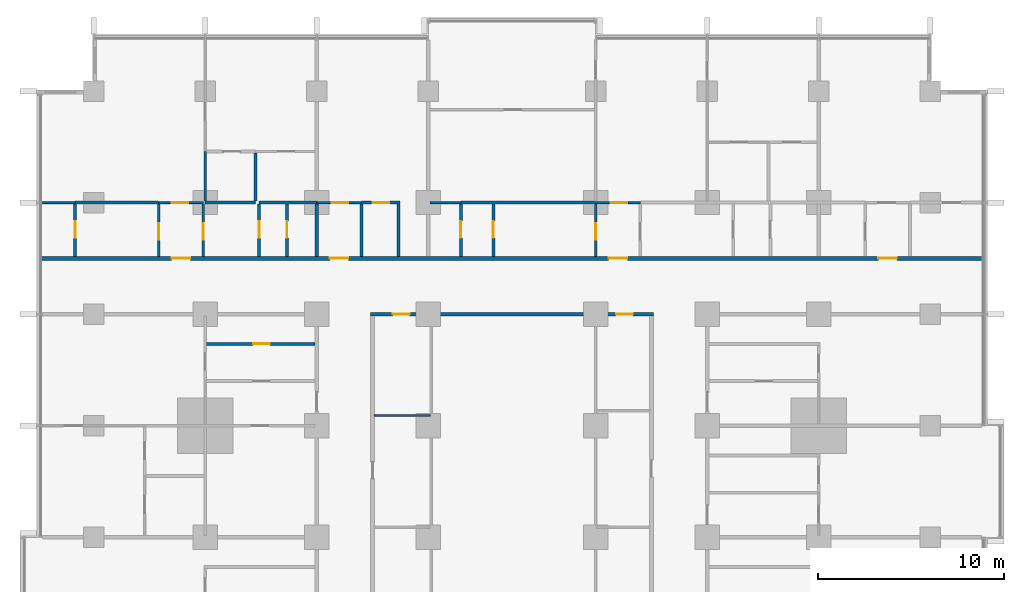
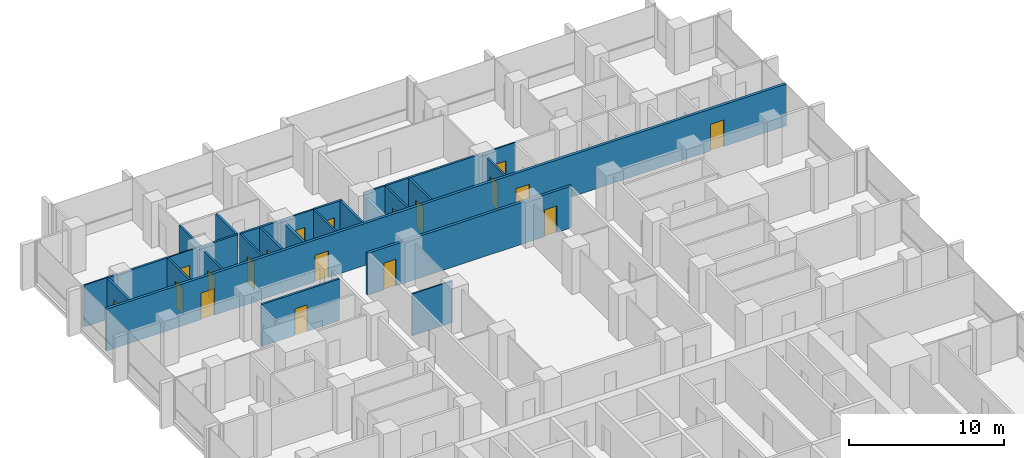
# One storey, part 11 of 18: 27 walls, 19 doors, 19 openings.
"""IFC4 building model written with IfcOpenShell, lengths in metres."""

from ifc_helpers import new_model, si_unit, direction, frame, frame_2d, origin, place, context, subcontext, project, spatial, rectangle, extrude, material, layer, layer_set, type_object, element, fill, save


model = new_model("IFC4")

# Units and contexts
model_context = context("Model", 3, precision=1e-05, world=origin(), true_north=direction((0.0, 1.0)))
body_context = subcontext(model_context, "Body", "Model", "MODEL_VIEW")
ifc_project = project(units=[si_unit("LENGTHUNIT", "METRE"), si_unit("AREAUNIT", "SQUARE_METRE"), si_unit("VOLUMEUNIT", "CUBIC_METRE"), si_unit("PLANEANGLEUNIT", "RADIAN"), si_unit("MASSUNIT", "GRAM", prefix="KILO")], contexts=[model_context])

# Site, building, storey
site_placement = place(None, origin())
site = spatial("IfcSite", under=ifc_project, at=site_placement, CompositionType="ELEMENT")
building_placement = place(site_placement, origin())
building = spatial("IfcBuilding", under=site, at=building_placement, Name="Finial Court Residences", CompositionType="ELEMENT")
storey_placement = place(building_placement, frame((0.0, 0.0, 50.5)))
storey = spatial("IfcBuildingStorey", under=building, at=storey_placement, Name="L11", CompositionType="ELEMENT", Elevation=50.5)

# Wall
ifc_material_1 = material(Name="Gypsum board")
ifc_layer_1 = layer(ifc_material_1, 0.02490234375)
ifc_material_2 = material(Name="Acoustic mineral wool in double frame")
ifc_layer_2 = layer(ifc_material_2, 0.14990234375)
ifc_layer_3 = layer(ifc_material_1, 0.02490234375)
ifc_layer_set_1 = layer_set([ifc_layer_1, ifc_layer_2, ifc_layer_3], Name="Acoustic party wall 200, 1 hour")
wall_type_1 = type_object("IfcWallType", Name="Acoustic party wall 200, 1 hour", PredefinedType="PARTITIONING", material=ifc_layer_set_1)
wall_1_placement = place(storey_placement, frame((-10.5, 16.60009765625, 0.0), z_axis=(0.0, 0.0, 1.0), x_axis=(0.0, 1.0, 0.0)))
element("IfcWall", 1, at=wall_1_placement, inside=storey, type_object=wall_type_1, Name="Partition L11-077", PredefinedType="PARTITIONING", context=body_context, shape_type="SweptSolid", body=[
    extrude(rectangle(XDim=2.824951171875, YDim=0.199951171875, at=frame_2d((1.41259765625, 0.0))), origin(), (0.0, 0.0, 1.0), 3.300048828125),
])

# Wall, openings, doors
ifc_layer_4 = layer(ifc_material_1, 0.02490234375)
ifc_layer_5 = layer(ifc_material_2, 0.14990234375)
ifc_layer_6 = layer(ifc_material_1, 0.02490234375)
ifc_layer_set_2 = layer_set([ifc_layer_4, ifc_layer_5, ifc_layer_6], Name="Corridor wall 200, 1 hour")
wall_type_2 = type_object("IfcWallType", Name="Corridor wall 200, 1 hour", PredefinedType="PARTITIONING", material=ifc_layer_set_2)
wall_2_placement = place(storey_placement, frame((-7.60009765625, 13.5, 0.0), z_axis=(0.0, 0.0, 1.0), x_axis=(1.0, 0.0, 0.0)))
wall_2 = element("IfcWall", 2, at=wall_2_placement, inside=storey, type_object=wall_type_2, Name="Partition L11-033", PredefinedType="PARTITIONING", context=body_context, shape_type="SweptSolid", body=[
    extrude(rectangle(XDim=15.2001953125, YDim=0.199951171875, at=frame_2d((7.60009765625, 0.0))), origin(), (0.0, 0.0, 1.0), 3.300048828125),
])
opening_1_placement = place(wall_2_placement, frame((1.199951171875, 0.0, 0.0)))
opening_1 = element("IfcOpeningElement", 3, at=opening_1_placement, cuts=wall_2, Name="Opening L11-D017", PredefinedType="OPENING", context=body_context, shape_type="SweptSolid", body=[
    extrude(rectangle(XDim=0.89990234375, YDim=2.10009765625, at=frame_2d((0.449951171875, 1.050048828125))), frame((0.0, 0.10986328125, 0.0), z_axis=(0.0, -1.0, 0.0), x_axis=(1.0, 0.0, 0.0)), (0.0, 0.0, 1.0), 0.219970703125),
])
opening_2_placement = place(wall_2_placement, frame((13.199951171875, 0.0, 0.0)))
opening_2 = element("IfcOpeningElement", 4, at=opening_2_placement, cuts=wall_2, Name="Opening L11-D018", PredefinedType="OPENING", context=body_context, shape_type="SweptSolid", body=[
    extrude(rectangle(XDim=0.89990234375, YDim=2.10009765625, at=frame_2d((0.449951171875, 1.050048828125))), frame((0.0, 0.10986328125, 0.0), z_axis=(0.0, -1.0, 0.0), x_axis=(1.0, 0.0, 0.0)), (0.0, 0.0, 1.0), 0.219970703125),
])
ifc_material_3 = material(Name="Timber door leaf in hollow metal frame", Category="wood")
door_type_1 = type_object("IfcDoorType", Name="Fire door set 900 x 2100, 30 minutes", OperationType="SINGLE_SWING_LEFT", PredefinedType="DOOR", material=ifc_material_3)
door_1_placement = place(opening_1_placement, origin())
door_1 = element("IfcDoor", 5, at=door_1_placement, inside=storey, type_object=door_type_1, Name="Door L11-D017", OperationType="SINGLE_SWING_LEFT", OverallHeight=2.10009765625, OverallWidth=0.89990234375, PredefinedType="DOOR", context=body_context, shape_type="SweptSolid", body=[
    extrude(rectangle(XDim=0.89990234375, YDim=2.10009765625, at=frame_2d((0.449951171875, 1.050048828125))), frame((0.0, 0.02490234375, 0.0), z_axis=(0.0, -1.0, 0.0), x_axis=(1.0, 0.0, 0.0)), (0.0, 0.0, 1.0), 0.050048828125),
])
fill(opening_1, door_1)
door_2_placement = place(opening_2_placement, origin())
door_2 = element("IfcDoor", 6, at=door_2_placement, inside=storey, type_object=door_type_1, Name="Door L11-D018", OperationType="SINGLE_SWING_RIGHT", OverallHeight=2.10009765625, OverallWidth=0.89990234375, PredefinedType="DOOR", context=body_context, shape_type="SweptSolid", body=[
    extrude(rectangle(XDim=0.89990234375, YDim=2.10009765625, at=frame_2d((0.449951171875, 1.050048828125))), frame((0.0, 0.02490234375, 0.0), z_axis=(0.0, -1.0, 0.0), x_axis=(1.0, 0.0, 0.0)), (0.0, 0.0, 1.0), 0.050048828125),
])
fill(opening_2, door_2)

wall_3_placement = place(storey_placement, frame((-25.35009765625, 16.5, 0.0), z_axis=(0.0, 0.0, 1.0), x_axis=(1.0, 0.0, 0.0)))
wall_3 = element("IfcWall", 7, at=wall_3_placement, inside=storey, type_object=wall_type_2, Name="Partition L11-035", PredefinedType="PARTITIONING", context=body_context, shape_type="SweptSolid", body=[
    extrude(rectangle(XDim=50.7001953125, YDim=0.199951171875, at=frame_2d((25.35009765625, 0.0))), origin(), (0.0, 0.0, 1.0), 3.300048828125),
])
opening_3_placement = place(wall_3_placement, frame((7.050048828125, 0.0, 0.0)))
opening_3 = element("IfcOpeningElement", 8, at=opening_3_placement, cuts=wall_3, Name="Opening L11-D019", PredefinedType="OPENING", context=body_context, shape_type="SweptSolid", body=[
    extrude(rectangle(XDim=1.0, YDim=2.10009765625, at=frame_2d((0.5, 1.050048828125))), frame((0.0, 0.10986328125, 0.0), z_axis=(0.0, -1.0, 0.0), x_axis=(1.0, 0.0, 0.0)), (0.0, 0.0, 1.0), 0.219970703125),
])
opening_4_placement = place(wall_3_placement, frame((15.550048828125, 0.0, 0.0)))
opening_4 = element("IfcOpeningElement", 9, at=opening_4_placement, cuts=wall_3, Name="Opening L11-D020", PredefinedType="OPENING", context=body_context, shape_type="SweptSolid", body=[
    extrude(rectangle(XDim=1.0, YDim=2.10009765625, at=frame_2d((0.5, 1.050048828125))), frame((0.0, 0.10986328125, 0.0), z_axis=(0.0, -1.0, 0.0), x_axis=(1.0, 0.0, 0.0)), (0.0, 0.0, 1.0), 0.219970703125),
])
opening_5_placement = place(wall_3_placement, frame((30.550048828125, 0.0, 0.0)))
opening_5 = element("IfcOpeningElement", 10, at=opening_5_placement, cuts=wall_3, Name="Opening L11-D021", PredefinedType="OPENING", context=body_context, shape_type="SweptSolid", body=[
    extrude(rectangle(XDim=1.0, YDim=2.10009765625, at=frame_2d((0.5, 1.050048828125))), frame((0.0, 0.10986328125, 0.0), z_axis=(0.0, -1.0, 0.0), x_axis=(1.0, 0.0, 0.0)), (0.0, 0.0, 1.0), 0.219970703125),
])
opening_6_placement = place(wall_3_placement, frame((45.050048828125, 0.0, 0.0)))
opening_6 = element("IfcOpeningElement", 11, at=opening_6_placement, cuts=wall_3, Name="Opening L11-D022", PredefinedType="OPENING", context=body_context, shape_type="SweptSolid", body=[
    extrude(rectangle(XDim=1.0, YDim=2.10009765625, at=frame_2d((0.5, 1.050048828125))), frame((0.0, 0.10986328125, 0.0), z_axis=(0.0, -1.0, 0.0), x_axis=(1.0, 0.0, 0.0)), (0.0, 0.0, 1.0), 0.219970703125),
])
door_type_2 = type_object("IfcDoorType", Name="Fire door set 1000 x 2100, 30 minutes", OperationType="SINGLE_SWING_LEFT", PredefinedType="DOOR", material=ifc_material_3)
door_3_placement = place(opening_3_placement, origin())
door_3 = element("IfcDoor", 12, at=door_3_placement, inside=storey, type_object=door_type_2, Name="Door L11-D019", OperationType="SINGLE_SWING_RIGHT", OverallHeight=2.10009765625, OverallWidth=1.0, PredefinedType="DOOR", context=body_context, shape_type="SweptSolid", body=[
    extrude(rectangle(XDim=1.0, YDim=2.10009765625, at=frame_2d((0.5, 1.050048828125))), frame((0.0, 0.02490234375, 0.0), z_axis=(0.0, -1.0, 0.0), x_axis=(1.0, 0.0, 0.0)), (0.0, 0.0, 1.0), 0.050048828125),
])
fill(opening_3, door_3)
door_4_placement = place(opening_4_placement, origin())
door_4 = element("IfcDoor", 13, at=door_4_placement, inside=storey, type_object=door_type_2, Name="Door L11-D020", OperationType="SINGLE_SWING_RIGHT", OverallHeight=2.10009765625, OverallWidth=1.0, PredefinedType="DOOR", context=body_context, shape_type="SweptSolid", body=[
    extrude(rectangle(XDim=1.0, YDim=2.10009765625, at=frame_2d((0.5, 1.050048828125))), frame((0.0, 0.02490234375, 0.0), z_axis=(0.0, -1.0, 0.0), x_axis=(1.0, 0.0, 0.0)), (0.0, 0.0, 1.0), 0.050048828125),
])
fill(opening_4, door_4)
door_5_placement = place(opening_5_placement, origin())
door_5 = element("IfcDoor", 14, at=door_5_placement, inside=storey, type_object=door_type_2, Name="Door L11-D021", OperationType="SINGLE_SWING_LEFT", OverallHeight=2.10009765625, OverallWidth=1.0, PredefinedType="DOOR", context=body_context, shape_type="SweptSolid", body=[
    extrude(rectangle(XDim=1.0, YDim=2.10009765625, at=frame_2d((0.5, 1.050048828125))), frame((0.0, 0.02490234375, 0.0), z_axis=(0.0, -1.0, 0.0), x_axis=(1.0, 0.0, 0.0)), (0.0, 0.0, 1.0), 0.050048828125),
])
fill(opening_5, door_5)
door_6_placement = place(opening_6_placement, origin())
door_6 = element("IfcDoor", 15, at=door_6_placement, inside=storey, type_object=door_type_2, Name="Door L11-D022", OperationType="SINGLE_SWING_LEFT", OverallHeight=2.10009765625, OverallWidth=1.0, PredefinedType="DOOR", context=body_context, shape_type="SweptSolid", body=[
    extrude(rectangle(XDim=1.0, YDim=2.10009765625, at=frame_2d((0.5, 1.050048828125))), frame((0.0, 0.02490234375, 0.0), z_axis=(0.0, -1.0, 0.0), x_axis=(1.0, 0.0, 0.0)), (0.0, 0.0, 1.0), 0.050048828125),
])
fill(opening_6, door_6)

# Walls
ifc_layer_7 = layer(ifc_material_1, 0.012451171875)
ifc_material_4 = material(Name="Mineral wool in light-gauge frame")
ifc_layer_8 = layer(ifc_material_4, 0.074951171875)
ifc_layer_9 = layer(ifc_material_1, 0.012451171875)
ifc_layer_set_3 = layer_set([ifc_layer_7, ifc_layer_8, ifc_layer_9], Name="Gypsum board partition 100")
wall_type_3 = type_object("IfcWallType", Name="Gypsum board partition 100", PredefinedType="PARTITIONING", material=ifc_layer_set_3)
wall_4_placement = place(storey_placement, frame((-7.39990234375, 8.050048828125, 0.0), z_axis=(0.0, 0.0, 1.0), x_axis=(1.0, 0.0, 0.0)))
element("IfcWall", 16, at=wall_4_placement, inside=storey, type_object=wall_type_3, Name="Partition L11-026", PredefinedType="PARTITIONING", context=body_context, shape_type="SweptSolid", body=[
    extrude(rectangle(XDim=3.0, YDim=0.10009765625, at=frame_2d((1.5, 0.0))), origin(), (0.0, 0.0, 1.0), 3.300048828125),
])
wall_5_placement = place(storey_placement, frame((-25.25, 19.5, 0.0), z_axis=(0.0, 0.0, 1.0), x_axis=(1.0, 0.0, 0.0)))
element("IfcWall", 17, at=wall_5_placement, inside=storey, type_object=wall_type_3, Name="Partition L11-036", PredefinedType="PARTITIONING", context=body_context, shape_type="SweptSolid", body=[
    extrude(rectangle(XDim=1.75, YDim=0.10009765625, at=frame_2d((0.875, 0.0))), origin(), (0.0, 0.0, 1.0), 3.300048828125),
])

# Wall, opening, door
wall_6_placement = place(storey_placement, frame((-19.0, 19.5, 0.0), z_axis=(0.0, 0.0, 1.0), x_axis=(1.0, 0.0, 0.0)))
wall_6 = element("IfcWall", 18, at=wall_6_placement, inside=storey, type_object=wall_type_3, Name="Partition L11-037", PredefinedType="PARTITIONING", context=body_context, shape_type="SweptSolid", body=[
    extrude(rectangle(XDim=2.39990234375, YDim=0.10009765625, at=frame_2d((1.199951171875, 0.0))), origin(), (0.0, 0.0, 1.0), 3.300048828125),
])
opening_7_placement = place(wall_6_placement, frame((0.699951171875, 0.0, 0.0)))
opening_7 = element("IfcOpeningElement", 19, at=opening_7_placement, cuts=wall_6, Name="Opening L11-D023", PredefinedType="OPENING", context=body_context, shape_type="SweptSolid", body=[
    extrude(rectangle(XDim=0.89990234375, YDim=2.10009765625, at=frame_2d((0.449951171875, 1.050048828125))), frame((0.0, 0.06005859375, 0.0), z_axis=(0.0, -1.0, 0.0), x_axis=(1.0, 0.0, 0.0)), (0.0, 0.0, 1.0), 0.1201171875),
])
ifc_material_5 = material(Name="Timber door leaf in timber frame", Category="wood")
door_type_3 = type_object("IfcDoorType", Name="Door set 900 x 2100", OperationType="SINGLE_SWING_LEFT", PredefinedType="DOOR", material=ifc_material_5)
door_7_placement = place(opening_7_placement, origin())
door_7 = element("IfcDoor", 20, at=door_7_placement, inside=storey, type_object=door_type_3, Name="Door L11-D023", OperationType="SINGLE_SWING_LEFT", OverallHeight=2.10009765625, OverallWidth=0.89990234375, PredefinedType="DOOR", context=body_context, shape_type="SweptSolid", body=[
    extrude(rectangle(XDim=0.89990234375, YDim=2.10009765625, at=frame_2d((0.449951171875, 1.050048828125))), frame((0.0, 0.02490234375, 0.0), z_axis=(0.0, -1.0, 0.0), x_axis=(1.0, 0.0, 0.0)), (0.0, 0.0, 1.0), 0.050048828125),
])
fill(opening_7, door_7)

wall_7_placement = place(storey_placement, frame((-10.5, 19.5, 0.0), z_axis=(0.0, 0.0, 1.0), x_axis=(1.0, 0.0, 0.0)))
wall_7 = element("IfcWall", 21, at=wall_7_placement, inside=storey, type_object=wall_type_3, Name="Partition L11-038", PredefinedType="PARTITIONING", context=body_context, shape_type="SweptSolid", body=[
    extrude(rectangle(XDim=2.39990234375, YDim=0.10009765625, at=frame_2d((1.199951171875, 0.0))), origin(), (0.0, 0.0, 1.0), 3.300048828125),
])
opening_8_placement = place(wall_7_placement, frame((0.800048828125, 0.0, 0.0)))
opening_8 = element("IfcOpeningElement", 22, at=opening_8_placement, cuts=wall_7, Name="Opening L11-D024", PredefinedType="OPENING", context=body_context, shape_type="SweptSolid", body=[
    extrude(rectangle(XDim=0.89990234375, YDim=2.10009765625, at=frame_2d((0.449951171875, 1.050048828125))), frame((0.0, 0.06005859375, 0.0), z_axis=(0.0, -1.0, 0.0), x_axis=(1.0, 0.0, 0.0)), (0.0, 0.0, 1.0), 0.1201171875),
])
door_8_placement = place(opening_8_placement, origin())
door_8 = element("IfcDoor", 23, at=door_8_placement, inside=storey, type_object=door_type_3, Name="Door L11-D024", OperationType="SINGLE_SWING_LEFT", OverallHeight=2.10009765625, OverallWidth=0.89990234375, PredefinedType="DOOR", context=body_context, shape_type="SweptSolid", body=[
    extrude(rectangle(XDim=0.89990234375, YDim=2.10009765625, at=frame_2d((0.449951171875, 1.050048828125))), frame((0.0, 0.02490234375, 0.0), z_axis=(0.0, -1.0, 0.0), x_axis=(1.0, 0.0, 0.0)), (0.0, 0.0, 1.0), 0.050048828125),
])
fill(opening_8, door_8)

# Wall
wall_8_placement = place(storey_placement, frame((-4.39990234375, 19.5, 0.0), z_axis=(0.0, 0.0, 1.0), x_axis=(1.0, 0.0, 0.0)))
element("IfcWall", 24, at=wall_8_placement, inside=storey, type_object=wall_type_3, Name="Partition L11-039", PredefinedType="PARTITIONING", context=body_context, shape_type="SweptSolid", body=[
    extrude(rectangle(XDim=1.64990234375, YDim=0.10009765625, at=frame_2d((0.824951171875, 0.0))), origin(), (0.0, 0.0, 1.0), 3.300048828125),
])

# Wall, opening, door
wall_9_placement = place(storey_placement, frame((4.5, 19.5, 0.0), z_axis=(0.0, 0.0, 1.0), x_axis=(1.0, 0.0, 0.0)))
wall_9 = element("IfcWall", 25, at=wall_9_placement, inside=storey, type_object=wall_type_3, Name="Partition L11-040", PredefinedType="PARTITIONING", context=body_context, shape_type="SweptSolid", body=[
    extrude(rectangle(XDim=2.39990234375, YDim=0.10009765625, at=frame_2d((1.199951171875, 0.0))), origin(), (0.0, 0.0, 1.0), 3.300048828125),
])
opening_9_placement = place(wall_9_placement, frame((0.800048828125, 0.0, 0.0)))
opening_9 = element("IfcOpeningElement", 26, at=opening_9_placement, cuts=wall_9, Name="Opening L11-D025", PredefinedType="OPENING", context=body_context, shape_type="SweptSolid", body=[
    extrude(rectangle(XDim=0.89990234375, YDim=2.10009765625, at=frame_2d((0.449951171875, 1.050048828125))), frame((0.0, 0.06005859375, 0.0), z_axis=(0.0, -1.0, 0.0), x_axis=(1.0, 0.0, 0.0)), (0.0, 0.0, 1.0), 0.1201171875),
])
door_9_placement = place(opening_9_placement, origin())
door_9 = element("IfcDoor", 27, at=door_9_placement, inside=storey, type_object=door_type_3, Name="Door L11-D025", OperationType="SINGLE_SWING_RIGHT", OverallHeight=2.10009765625, OverallWidth=0.89990234375, PredefinedType="DOOR", context=body_context, shape_type="SweptSolid", body=[
    extrude(rectangle(XDim=0.89990234375, YDim=2.10009765625, at=frame_2d((0.449951171875, 1.050048828125))), frame((0.0, 0.02490234375, 0.0), z_axis=(0.0, -1.0, 0.0), x_axis=(1.0, 0.0, 0.0)), (0.0, 0.0, 1.0), 0.050048828125),
])
fill(opening_9, door_9)

ifc_material_6 = material(Name="Moisture-resistant gypsum board")
ifc_layer_10 = layer(ifc_material_6, 0.012451171875)
ifc_layer_11 = layer(ifc_material_4, 0.125)
ifc_layer_12 = layer(ifc_material_6, 0.012451171875)
ifc_layer_set_4 = layer_set([ifc_layer_10, ifc_layer_11, ifc_layer_12], Name="Gypsum board wet-area partition 150")
wall_type_4 = type_object("IfcWallType", Name="Gypsum board wet-area partition 150", PredefinedType="PARTITIONING", material=ifc_layer_set_4)
wall_10_placement = place(storey_placement, frame((-16.425048828125, 11.89990234375, 0.0), z_axis=(0.0, 0.0, 1.0), x_axis=(1.0, 0.0, 0.0)))
wall_10 = element("IfcWall", 28, at=wall_10_placement, inside=storey, type_object=wall_type_4, Name="Partition L11-030", PredefinedType="PARTITIONING", context=body_context, shape_type="SweptSolid", body=[
    extrude(rectangle(XDim=5.824951171875, YDim=0.14990234375, at=frame_2d((2.91259765625, 0.0))), origin(), (0.0, 0.0, 1.0), 3.300048828125),
])
opening_10_placement = place(wall_10_placement, frame((2.5, 0.0, 0.0)))
opening_10 = element("IfcOpeningElement", 29, at=opening_10_placement, cuts=wall_10, Name="Opening L11-D016", PredefinedType="OPENING", context=body_context, shape_type="SweptSolid", body=[
    extrude(rectangle(XDim=0.89990234375, YDim=2.10009765625, at=frame_2d((0.449951171875, 1.050048828125))), frame((0.0, 0.0849609375, 0.0), z_axis=(0.0, -1.0, 0.0), x_axis=(1.0, 0.0, 0.0)), (0.0, 0.0, 1.0), 0.169921875),
])
door_10_placement = place(opening_10_placement, origin())
door_10 = element("IfcDoor", 30, at=door_10_placement, inside=storey, type_object=door_type_3, Name="Door L11-D016", OperationType="SINGLE_SWING_LEFT", OverallHeight=2.10009765625, OverallWidth=0.89990234375, PredefinedType="DOOR", context=body_context, shape_type="SweptSolid", body=[
    extrude(rectangle(XDim=0.89990234375, YDim=2.10009765625, at=frame_2d((0.449951171875, 1.050048828125))), frame((0.0, 0.02490234375, 0.0), z_axis=(0.0, -1.0, 0.0), x_axis=(1.0, 0.0, 0.0)), (0.0, 0.0, 1.0), 0.050048828125),
])
fill(opening_10, door_10)

# Walls
wall_11_placement = place(storey_placement, frame((-23.5, 19.5, 0.0), z_axis=(0.0, 0.0, 1.0), x_axis=(1.0, 0.0, 0.0)))
element("IfcWall", 31, at=wall_11_placement, inside=storey, type_object=wall_type_4, Name="Partition L11-042", PredefinedType="PARTITIONING", context=body_context, shape_type="SweptSolid", body=[
    extrude(rectangle(XDim=4.5, YDim=0.14990234375, at=frame_2d((2.25, 0.0))), origin(), (0.0, 0.0, 1.0), 3.300048828125),
])
wall_12_placement = place(storey_placement, frame((-16.5, 19.5, 0.0), z_axis=(0.0, 0.0, 1.0), x_axis=(1.0, 0.0, 0.0)))
element("IfcWall", 32, at=wall_12_placement, inside=storey, type_object=wall_type_4, Name="Partition L11-043", PredefinedType="PARTITIONING", context=body_context, shape_type="SweptSolid", body=[
    extrude(rectangle(XDim=2.699951171875, YDim=0.14990234375, at=frame_2d((1.35009765625, 0.0))), origin(), (0.0, 0.0, 1.0), 3.300048828125),
])
wall_13_placement = place(storey_placement, frame((-13.60009765625, 19.5, 0.0), z_axis=(0.0, 0.0, 1.0), x_axis=(1.0, 0.0, 0.0)))
element("IfcWall", 33, at=wall_13_placement, inside=storey, type_object=wall_type_4, Name="Partition L11-044", PredefinedType="PARTITIONING", context=body_context, shape_type="SweptSolid", body=[
    extrude(rectangle(XDim=3.10009765625, YDim=0.14990234375, at=frame_2d((1.550048828125, 0.0))), origin(), (0.0, 0.0, 1.0), 3.300048828125),
])

# Wall, opening, door
wall_14_placement = place(storey_placement, frame((-8.10009765625, 19.5, 0.0), z_axis=(0.0, 0.0, 1.0), x_axis=(1.0, 0.0, 0.0)))
wall_14 = element("IfcWall", 34, at=wall_14_placement, inside=storey, type_object=wall_type_4, Name="Partition L11-045", PredefinedType="PARTITIONING", context=body_context, shape_type="SweptSolid", body=[
    extrude(rectangle(XDim=2.0751953125, YDim=0.14990234375, at=frame_2d((1.03759765625, 0.0))), origin(), (0.0, 0.0, 1.0), 3.300048828125),
])
opening_11_placement = place(wall_14_placement, frame((0.60009765625, 0.0, 0.0)))
opening_11 = element("IfcOpeningElement", 35, at=opening_11_placement, cuts=wall_14, Name="Opening L11-D027", PredefinedType="OPENING", context=body_context, shape_type="SweptSolid", body=[
    extrude(rectangle(XDim=0.89990234375, YDim=2.10009765625, at=frame_2d((0.449951171875, 1.050048828125))), frame((0.0, 0.0849609375, 0.0), z_axis=(0.0, -1.0, 0.0), x_axis=(1.0, 0.0, 0.0)), (0.0, 0.0, 1.0), 0.169921875),
])
door_11_placement = place(opening_11_placement, origin())
door_11 = element("IfcDoor", 36, at=door_11_placement, inside=storey, type_object=door_type_3, Name="Door L11-D027", OperationType="SINGLE_SWING_RIGHT", OverallHeight=2.10009765625, OverallWidth=0.89990234375, PredefinedType="DOOR", context=body_context, shape_type="SweptSolid", body=[
    extrude(rectangle(XDim=0.89990234375, YDim=2.10009765625, at=frame_2d((0.449951171875, 1.050048828125))), frame((0.0, 0.02490234375, 0.0), z_axis=(0.0, -1.0, 0.0), x_axis=(1.0, 0.0, 0.0)), (0.0, 0.0, 1.0), 0.050048828125),
])
fill(opening_11, door_11)

# Wall
wall_15_placement = place(storey_placement, frame((-2.75, 19.5, 0.0), z_axis=(0.0, 0.0, 1.0), x_axis=(1.0, 0.0, 0.0)))
element("IfcWall", 37, at=wall_15_placement, inside=storey, type_object=wall_type_4, Name="Partition L11-046", PredefinedType="PARTITIONING", context=body_context, shape_type="SweptSolid", body=[
    extrude(rectangle(XDim=7.25, YDim=0.14990234375, at=frame_2d((3.625, 0.0))), origin(), (0.0, 0.0, 1.0), 3.300048828125),
])

# Wall, opening, door
wall_16_placement = place(storey_placement, frame((-23.5, 16.60009765625, 0.0), z_axis=(0.0, 0.0, 1.0), x_axis=(0.0, 1.0, 0.0)))
wall_16 = element("IfcWall", 38, at=wall_16_placement, inside=storey, type_object=wall_type_4, Name="Partition L11-055", PredefinedType="PARTITIONING", context=body_context, shape_type="SweptSolid", body=[
    extrude(rectangle(XDim=2.824951171875, YDim=0.14990234375, at=frame_2d((1.41259765625, 0.0))), origin(), (0.0, 0.0, 1.0), 3.300048828125),
])
opening_12_placement = place(wall_16_placement, frame((1.0, 0.0, 0.0)))
opening_12 = element("IfcOpeningElement", 39, at=opening_12_placement, cuts=wall_16, Name="Opening L11-D034", PredefinedType="OPENING", context=body_context, shape_type="SweptSolid", body=[
    extrude(rectangle(XDim=0.89990234375, YDim=2.10009765625, at=frame_2d((0.449951171875, 1.050048828125))), frame((0.0, 0.0849609375, 0.0), z_axis=(0.0, -1.0, 0.0), x_axis=(1.0, 0.0, 0.0)), (0.0, 0.0, 1.0), 0.169921875),
])
door_12_placement = place(opening_12_placement, origin())
door_12 = element("IfcDoor", 40, at=door_12_placement, inside=storey, type_object=door_type_3, Name="Door L11-D034", OperationType="SINGLE_SWING_RIGHT", OverallHeight=2.10009765625, OverallWidth=0.89990234375, PredefinedType="DOOR", context=body_context, shape_type="SweptSolid", body=[
    extrude(rectangle(XDim=0.89990234375, YDim=2.10009765625, at=frame_2d((0.449951171875, 1.050048828125))), frame((0.0, 0.02490234375, 0.0), z_axis=(0.0, -1.0, 0.0), x_axis=(1.0, 0.0, 0.0)), (0.0, 0.0, 1.0), 0.050048828125),
])
fill(opening_12, door_12)

wall_17_placement = place(storey_placement, frame((-19.0, 16.60009765625, 0.0), z_axis=(0.0, 0.0, 1.0), x_axis=(0.0, 1.0, 0.0)))
wall_17 = element("IfcWall", 41, at=wall_17_placement, inside=storey, type_object=wall_type_4, Name="Partition L11-061", PredefinedType="PARTITIONING", context=body_context, shape_type="SweptSolid", body=[
    extrude(rectangle(XDim=2.824951171875, YDim=0.14990234375, at=frame_2d((1.41259765625, 0.0))), origin(), (0.0, 0.0, 1.0), 3.300048828125),
])
opening_13_placement = place(wall_17_placement, frame((0.89990234375, 0.0, 0.0)))
opening_13 = element("IfcOpeningElement", 42, at=opening_13_placement, cuts=wall_17, Name="Opening L11-D040", PredefinedType="OPENING", context=body_context, shape_type="SweptSolid", body=[
    extrude(rectangle(XDim=0.89990234375, YDim=2.10009765625, at=frame_2d((0.449951171875, 1.050048828125))), frame((0.0, 0.0849609375, 0.0), z_axis=(0.0, -1.0, 0.0), x_axis=(1.0, 0.0, 0.0)), (0.0, 0.0, 1.0), 0.169921875),
])
door_13_placement = place(opening_13_placement, origin())
door_13 = element("IfcDoor", 43, at=door_13_placement, inside=storey, type_object=door_type_3, Name="Door L11-D040", OperationType="SINGLE_SWING_RIGHT", OverallHeight=2.10009765625, OverallWidth=0.89990234375, PredefinedType="DOOR", context=body_context, shape_type="SweptSolid", body=[
    extrude(rectangle(XDim=0.89990234375, YDim=2.10009765625, at=frame_2d((0.449951171875, 1.050048828125))), frame((0.0, 0.02490234375, 0.0), z_axis=(0.0, -1.0, 0.0), x_axis=(1.0, 0.0, 0.0)), (0.0, 0.0, 1.0), 0.050048828125),
])
fill(opening_13, door_13)

wall_18_placement = place(storey_placement, frame((-16.60009765625, 16.60009765625, 0.0), z_axis=(0.0, 0.0, 1.0), x_axis=(0.0, 1.0, 0.0)))
wall_18 = element("IfcWall", 44, at=wall_18_placement, inside=storey, type_object=wall_type_4, Name="Partition L11-062", PredefinedType="PARTITIONING", context=body_context, shape_type="SweptSolid", body=[
    extrude(rectangle(XDim=2.824951171875, YDim=0.14990234375, at=frame_2d((1.41259765625, 0.0))), origin(), (0.0, 0.0, 1.0), 3.300048828125),
])
opening_14_placement = place(wall_18_placement, frame((0.89990234375, 0.0, 0.0)))
opening_14 = element("IfcOpeningElement", 45, at=opening_14_placement, cuts=wall_18, Name="Opening L11-D041", PredefinedType="OPENING", context=body_context, shape_type="SweptSolid", body=[
    extrude(rectangle(XDim=0.89990234375, YDim=2.10009765625, at=frame_2d((0.449951171875, 1.050048828125))), frame((0.0, 0.0849609375, 0.0), z_axis=(0.0, -1.0, 0.0), x_axis=(1.0, 0.0, 0.0)), (0.0, 0.0, 1.0), 0.169921875),
])
door_14_placement = place(opening_14_placement, origin())
door_14 = element("IfcDoor", 46, at=door_14_placement, inside=storey, type_object=door_type_3, Name="Door L11-D041", OperationType="SINGLE_SWING_RIGHT", OverallHeight=2.10009765625, OverallWidth=0.89990234375, PredefinedType="DOOR", context=body_context, shape_type="SweptSolid", body=[
    extrude(rectangle(XDim=0.89990234375, YDim=2.10009765625, at=frame_2d((0.449951171875, 1.050048828125))), frame((0.0, 0.02490234375, 0.0), z_axis=(0.0, -1.0, 0.0), x_axis=(1.0, 0.0, 0.0)), (0.0, 0.0, 1.0), 0.050048828125),
])
fill(opening_14, door_14)

# Walls
wall_19_placement = place(storey_placement, frame((-16.5, 19.574951171875, 0.0), z_axis=(0.0, 0.0, 1.0), x_axis=(0.0, 1.0, 0.0)))
element("IfcWall", 47, at=wall_19_placement, inside=storey, type_object=wall_type_4, Name="Partition L11-072", PredefinedType="PARTITIONING", context=body_context, shape_type="SweptSolid", body=[
    extrude(rectangle(XDim=2.675048828125, YDim=0.14990234375, at=frame_2d((1.33740234375, 0.0))), origin(), (0.0, 0.0, 1.0), 3.300048828125),
])
wall_20_placement = place(storey_placement, frame((-13.800048828125, 19.574951171875, 0.0), z_axis=(0.0, 0.0, 1.0), x_axis=(0.0, 1.0, 0.0)))
element("IfcWall", 48, at=wall_20_placement, inside=storey, type_object=wall_type_4, Name="Partition L11-073", PredefinedType="PARTITIONING", context=body_context, shape_type="SweptSolid", body=[
    extrude(rectangle(XDim=2.60009765625, YDim=0.14990234375, at=frame_2d((1.300048828125, 0.0))), origin(), (0.0, 0.0, 1.0), 3.300048828125),
])

# Wall, opening, door
wall_21_placement = place(storey_placement, frame((-13.60009765625, 16.60009765625, 0.0), z_axis=(0.0, 0.0, 1.0), x_axis=(0.0, 1.0, 0.0)))
wall_21 = element("IfcWall", 49, at=wall_21_placement, inside=storey, type_object=wall_type_4, Name="Partition L11-074", PredefinedType="PARTITIONING", context=body_context, shape_type="SweptSolid", body=[
    extrude(rectangle(XDim=2.824951171875, YDim=0.14990234375, at=frame_2d((1.41259765625, 0.0))), origin(), (0.0, 0.0, 1.0), 3.300048828125),
])
opening_15_placement = place(wall_21_placement, frame((1.0, 0.0, 0.0)))
opening_15 = element("IfcOpeningElement", 50, at=opening_15_placement, cuts=wall_21, Name="Opening L11-D047", PredefinedType="OPENING", context=body_context, shape_type="SweptSolid", body=[
    extrude(rectangle(XDim=0.89990234375, YDim=2.10009765625, at=frame_2d((0.449951171875, 1.050048828125))), frame((0.0, 0.0849609375, 0.0), z_axis=(0.0, -1.0, 0.0), x_axis=(1.0, 0.0, 0.0)), (0.0, 0.0, 1.0), 0.169921875),
])
door_15_placement = place(opening_15_placement, origin())
door_15 = element("IfcDoor", 51, at=door_15_placement, inside=storey, type_object=door_type_3, Name="Door L11-D047", OperationType="SINGLE_SWING_RIGHT", OverallHeight=2.10009765625, OverallWidth=0.89990234375, PredefinedType="DOOR", context=body_context, shape_type="SweptSolid", body=[
    extrude(rectangle(XDim=0.89990234375, YDim=2.10009765625, at=frame_2d((0.449951171875, 1.050048828125))), frame((0.0, 0.02490234375, 0.0), z_axis=(0.0, -1.0, 0.0), x_axis=(1.0, 0.0, 0.0)), (0.0, 0.0, 1.0), 0.050048828125),
])
fill(opening_15, door_15)

wall_22_placement = place(storey_placement, frame((-12.10009765625, 16.60009765625, 0.0), z_axis=(0.0, 0.0, 1.0), x_axis=(0.0, 1.0, 0.0)))
wall_22 = element("IfcWall", 52, at=wall_22_placement, inside=storey, type_object=wall_type_4, Name="Partition L11-075", PredefinedType="PARTITIONING", context=body_context, shape_type="SweptSolid", body=[
    extrude(rectangle(XDim=2.824951171875, YDim=0.14990234375, at=frame_2d((1.41259765625, 0.0))), origin(), (0.0, 0.0, 1.0), 3.300048828125),
])
opening_16_placement = place(wall_22_placement, frame((1.0, 0.0, 0.0)))
opening_16 = element("IfcOpeningElement", 53, at=opening_16_placement, cuts=wall_22, Name="Opening L11-D048", PredefinedType="OPENING", context=body_context, shape_type="SweptSolid", body=[
    extrude(rectangle(XDim=0.89990234375, YDim=2.10009765625, at=frame_2d((0.449951171875, 1.050048828125))), frame((0.0, 0.0849609375, 0.0), z_axis=(0.0, -1.0, 0.0), x_axis=(1.0, 0.0, 0.0)), (0.0, 0.0, 1.0), 0.169921875),
])
door_16_placement = place(opening_16_placement, origin())
door_16 = element("IfcDoor", 54, at=door_16_placement, inside=storey, type_object=door_type_3, Name="Door L11-D048", OperationType="SINGLE_SWING_RIGHT", OverallHeight=2.10009765625, OverallWidth=0.89990234375, PredefinedType="DOOR", context=body_context, shape_type="SweptSolid", body=[
    extrude(rectangle(XDim=0.89990234375, YDim=2.10009765625, at=frame_2d((0.449951171875, 1.050048828125))), frame((0.0, 0.02490234375, 0.0), z_axis=(0.0, -1.0, 0.0), x_axis=(1.0, 0.0, 0.0)), (0.0, 0.0, 1.0), 0.050048828125),
])
fill(opening_16, door_16)

# Walls
for number, where, z_axis, x_axis, name in (
    (55, (-8.10009765625, 16.60009765625, 0.0), (0.0, 0.0, 1.0), (0.0, 1.0, 0.0), "Partition L11-079"),
    (56, (-6.10009765625, 16.60009765625, 0.0), (0.0, 0.0, 1.0), (0.0, 1.0, 0.0), "Partition L11-081"),
):
    element("IfcWall", number, at=place(storey_placement, frame(where, z_axis=z_axis, x_axis=x_axis)), inside=storey, type_object=wall_type_4, Name=name, PredefinedType="PARTITIONING", context=body_context, shape_type="SweptSolid", body=[
        extrude(rectangle(XDim=2.824951171875, YDim=0.14990234375, at=frame_2d((1.41259765625, 0.0))), origin(), (0.0, 0.0, 1.0), 3.300048828125),
    ])

# Wall, opening, door
wall_23_placement = place(storey_placement, frame((-2.75, 16.60009765625, 0.0), z_axis=(0.0, 0.0, 1.0), x_axis=(0.0, 1.0, 0.0)))
wall_23 = element("IfcWall", 57, at=wall_23_placement, inside=storey, type_object=wall_type_4, Name="Partition L11-084", PredefinedType="PARTITIONING", context=body_context, shape_type="SweptSolid", body=[
    extrude(rectangle(XDim=2.824951171875, YDim=0.14990234375, at=frame_2d((1.41259765625, 0.0))), origin(), (0.0, 0.0, 1.0), 3.300048828125),
])
opening_17_placement = place(wall_23_placement, frame((1.0, 0.0, 0.0)))
opening_17 = element("IfcOpeningElement", 58, at=opening_17_placement, cuts=wall_23, Name="Opening L11-D051", PredefinedType="OPENING", context=body_context, shape_type="SweptSolid", body=[
    extrude(rectangle(XDim=0.89990234375, YDim=2.10009765625, at=frame_2d((0.449951171875, 1.050048828125))), frame((0.0, 0.0849609375, 0.0), z_axis=(0.0, -1.0, 0.0), x_axis=(1.0, 0.0, 0.0)), (0.0, 0.0, 1.0), 0.169921875),
])
door_17_placement = place(opening_17_placement, origin())
door_17 = element("IfcDoor", 59, at=door_17_placement, inside=storey, type_object=door_type_3, Name="Door L11-D051", OperationType="SINGLE_SWING_RIGHT", OverallHeight=2.10009765625, OverallWidth=0.89990234375, PredefinedType="DOOR", context=body_context, shape_type="SweptSolid", body=[
    extrude(rectangle(XDim=0.89990234375, YDim=2.10009765625, at=frame_2d((0.449951171875, 1.050048828125))), frame((0.0, 0.02490234375, 0.0), z_axis=(0.0, -1.0, 0.0), x_axis=(1.0, 0.0, 0.0)), (0.0, 0.0, 1.0), 0.050048828125),
])
fill(opening_17, door_17)

wall_24_placement = place(storey_placement, frame((-1.0, 16.60009765625, 0.0), z_axis=(0.0, 0.0, 1.0), x_axis=(0.0, 1.0, 0.0)))
wall_24 = element("IfcWall", 60, at=wall_24_placement, inside=storey, type_object=wall_type_4, Name="Partition L11-085", PredefinedType="PARTITIONING", context=body_context, shape_type="SweptSolid", body=[
    extrude(rectangle(XDim=2.824951171875, YDim=0.14990234375, at=frame_2d((1.41259765625, 0.0))), origin(), (0.0, 0.0, 1.0), 3.300048828125),
])
opening_18_placement = place(wall_24_placement, frame((1.0, 0.0, 0.0)))
opening_18 = element("IfcOpeningElement", 61, at=opening_18_placement, cuts=wall_24, Name="Opening L11-D052", PredefinedType="OPENING", context=body_context, shape_type="SweptSolid", body=[
    extrude(rectangle(XDim=0.89990234375, YDim=2.10009765625, at=frame_2d((0.449951171875, 1.050048828125))), frame((0.0, 0.0849609375, 0.0), z_axis=(0.0, -1.0, 0.0), x_axis=(1.0, 0.0, 0.0)), (0.0, 0.0, 1.0), 0.169921875),
])
door_18_placement = place(opening_18_placement, origin())
door_18 = element("IfcDoor", 62, at=door_18_placement, inside=storey, type_object=door_type_3, Name="Door L11-D052", OperationType="SINGLE_SWING_LEFT", OverallHeight=2.10009765625, OverallWidth=0.89990234375, PredefinedType="DOOR", context=body_context, shape_type="SweptSolid", body=[
    extrude(rectangle(XDim=0.89990234375, YDim=2.10009765625, at=frame_2d((0.449951171875, 1.050048828125))), frame((0.0, 0.02490234375, 0.0), z_axis=(0.0, -1.0, 0.0), x_axis=(1.0, 0.0, 0.0)), (0.0, 0.0, 1.0), 0.050048828125),
])
fill(opening_18, door_18)

wall_25_placement = place(storey_placement, frame((4.5, 16.60009765625, 0.0), z_axis=(0.0, 0.0, 1.0), x_axis=(0.0, 1.0, 0.0)))
wall_25 = element("IfcWall", 63, at=wall_25_placement, inside=storey, type_object=wall_type_4, Name="Partition L11-088", PredefinedType="PARTITIONING", context=body_context, shape_type="SweptSolid", body=[
    extrude(rectangle(XDim=2.824951171875, YDim=0.14990234375, at=frame_2d((1.41259765625, 0.0))), origin(), (0.0, 0.0, 1.0), 3.300048828125),
])
opening_19_placement = place(wall_25_placement, frame((0.89990234375, 0.0, 0.0)))
opening_19 = element("IfcOpeningElement", 64, at=opening_19_placement, cuts=wall_25, Name="Opening L11-D054", PredefinedType="OPENING", context=body_context, shape_type="SweptSolid", body=[
    extrude(rectangle(XDim=0.89990234375, YDim=2.10009765625, at=frame_2d((0.449951171875, 1.050048828125))), frame((0.0, 0.0849609375, 0.0), z_axis=(0.0, -1.0, 0.0), x_axis=(1.0, 0.0, 0.0)), (0.0, 0.0, 1.0), 0.169921875),
])
door_19_placement = place(opening_19_placement, origin())
door_19 = element("IfcDoor", 65, at=door_19_placement, inside=storey, type_object=door_type_3, Name="Door L11-D054", OperationType="SINGLE_SWING_LEFT", OverallHeight=2.10009765625, OverallWidth=0.89990234375, PredefinedType="DOOR", context=body_context, shape_type="SweptSolid", body=[
    extrude(rectangle(XDim=0.89990234375, YDim=2.10009765625, at=frame_2d((0.449951171875, 1.050048828125))), frame((0.0, 0.02490234375, 0.0), z_axis=(0.0, -1.0, 0.0), x_axis=(1.0, 0.0, 0.0)), (0.0, 0.0, 1.0), 0.050048828125),
])
fill(opening_19, door_19)

save(model, "model.ifc")
